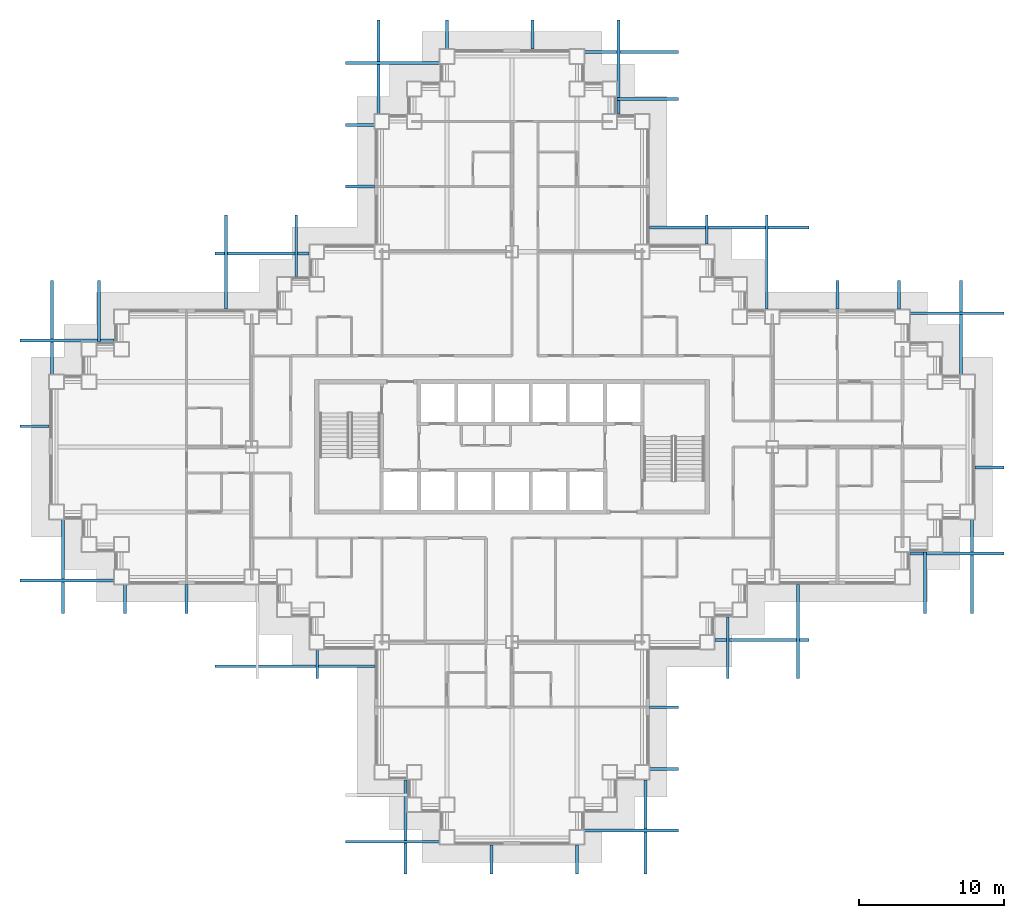
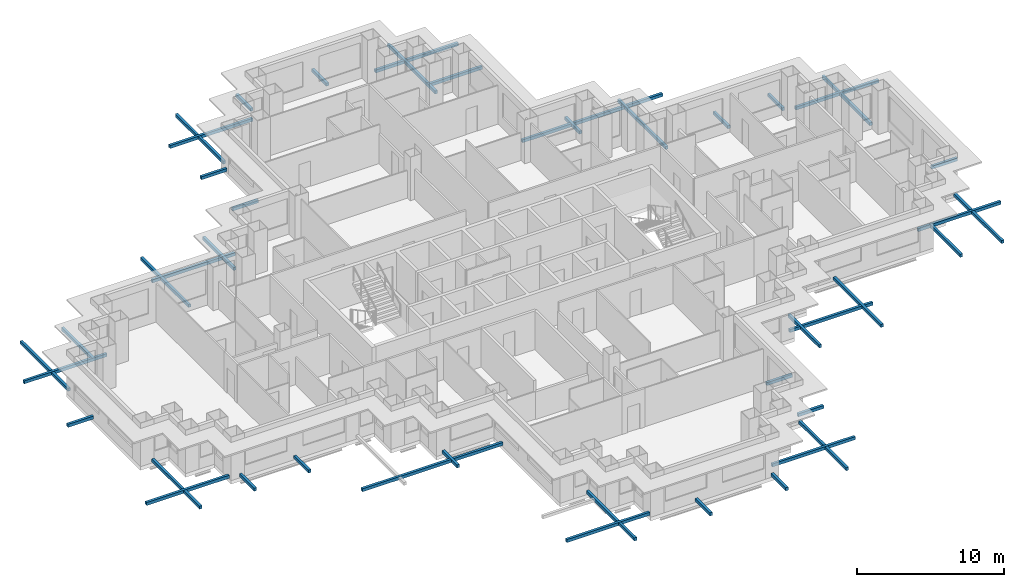
# One storey, part 10 of 15: 44 discrete accessories.
"""IFC4 building model written with IfcOpenShell, lengths in metres."""

import ifcopenshell
import ifcopenshell.guid

model = None  # the IFC model being written
_history = None  # IfcOwnerHistory: only IFC2X3 demands one
_inside = {}  # id of a spatial element -> (the spatial element, [elements in it])
_under = {}  # id of a project, library or spatial element -> (it, [spatial elements below it])
_declared = {}  # id of a project -> (the project, [libraries it declares])
_typed = {}  # id of a type object -> (the type object, [elements of that type])
_made_of = {}  # id of a material, layer set ... -> (it, [elements and type objects made of it])


def new_model(schema):
    """Start an empty IFC model of exactly this schema.

    Asked for "IFC4X3", IfcOpenShell would pick the latest addendum, in which some entities
    have other attributes; the version numbers below select the first issue.
    IFC2X3 requires an IfcOwnerHistory on every rooted entity: one is made here for all.
    """
    global model, _history
    if schema == "IFC4X3":
        model = ifcopenshell.file(schema_version=(4, 3, 0, 0))
    else:
        model = ifcopenshell.file(schema=schema)
    _inside.clear()
    _under.clear()
    _declared.clear()
    _typed.clear()
    _made_of.clear()
    _history = None
    if model.schema == "IFC2X3":
        org = make("IfcOrganization", Name="unknown")
        user = make(
            "IfcPersonAndOrganization",
            ThePerson=make("IfcPerson", FamilyName="unknown"),
            TheOrganization=org,
        )
        app = make(
            "IfcApplication",
            ApplicationDeveloper=org,
            Version="unknown",
            ApplicationFullName="unknown",
            ApplicationIdentifier="unknown",
        )
        _history = make(
            "IfcOwnerHistory",
            OwningUser=user,
            OwningApplication=app,
            ChangeAction="ADDED",
            CreationDate=0,
        )
    return model


def make(cls, **values):
    """One entity of the class cls with the attributes given. An attribute that is None is left unset."""
    return model.create_entity(
        cls, **{name: value for name, value in values.items() if value is not None}
    )


def rooted(cls, **values):
    """An entity with a GlobalId (a new one), such as an element, a storey or a relation."""
    return make(cls, GlobalId=ifcopenshell.guid.new(), OwnerHistory=_history, **values)


def si_unit(unit_type, name, prefix=None):
    """IfcSIUnit, for example si_unit("LENGTHUNIT", "METRE", prefix="MILLI")."""
    return make("IfcSIUnit", UnitType=unit_type, Prefix=prefix, Name=name)


def assignment(units):
    """IfcUnitAssignment: the units of a project."""
    return None if units is None else make("IfcUnitAssignment", Units=units)


def point(xyz):
    """IfcCartesianPoint."""
    return None if xyz is None else make("IfcCartesianPoint", Coordinates=xyz)


def direction(xyz):
    """IfcDirection."""
    return None if xyz is None else make("IfcDirection", DirectionRatios=xyz)


def frame(location, z_axis=None, x_axis=None):
    """IfcAxis2Placement3D, a coordinate frame: its origin and axes. An axis left out is left unset."""
    return make(
        "IfcAxis2Placement3D",
        Location=point(location),
        Axis=direction(z_axis),
        RefDirection=direction(x_axis),
    )


def frame_2d(location, x_axis=None):
    """IfcAxis2Placement2D, a coordinate frame in the plane: its origin and x axis."""
    return make(
        "IfcAxis2Placement2D", Location=point(location), RefDirection=direction(x_axis)
    )


def origin():
    """The frame at (0, 0, 0) with its axes left unset."""
    return frame((0.0, 0.0, 0.0))


def origin_2d():
    """The frame at (0, 0) in the plane with its x axis left unset."""
    return frame_2d((0.0, 0.0))


def place(relative_to, where):
    """IfcLocalPlacement: puts the frame where relative to a parent placement (None: the world)."""
    return make(
        "IfcLocalPlacement", PlacementRelTo=relative_to, RelativePlacement=where
    )


def context(
    kind, dimensions, precision=None, world=None, true_north=None, identifier=None
):
    """IfcGeometricRepresentationContext, for example the 3D "Model" context."""
    return make(
        "IfcGeometricRepresentationContext",
        ContextIdentifier=identifier,
        ContextType=kind,
        CoordinateSpaceDimension=dimensions,
        Precision=precision,
        WorldCoordinateSystem=world,
        TrueNorth=true_north,
    )


def subcontext(parent, identifier, kind, view, scale=None):
    """IfcGeometricRepresentationSubContext, for example "Body" below "Model"."""
    return make(
        "IfcGeometricRepresentationSubContext",
        ContextIdentifier=identifier,
        ContextType=kind,
        ParentContext=parent,
        TargetScale=scale,
        TargetView=view,
    )


def project(units=None, contexts=None):
    """IfcProject with its units and contexts."""
    return rooted(
        "IfcProject",
        Name="project",
        RepresentationContexts=contexts,
        UnitsInContext=assignment(units),
    )


def spatial(cls, under=None, at=None, **own):
    """A site, building, storey or space (cls), placed at a placement, below another one or the project."""
    s = rooted(cls, ObjectPlacement=at, **own)
    if under is not None:
        _under.setdefault(under.id(), (under, []))[1].append(s)
    return s


def profile(cls, at=None, kind="AREA", **sizes):
    """A parametric profile (cls). Its sizes go by their IFC names, for example OverallWidth=200.0."""
    return make(cls, ProfileType=kind, Position=at, **sizes)


def rectangle(**sizes):
    """IfcRectangleProfileDef."""
    return profile("IfcRectangleProfileDef", **sizes)


def extrude(swept, where, along, depth):
    """IfcExtrudedAreaSolid: the profile swept, set in the frame where, extruded along a direction by depth."""
    return make(
        "IfcExtrudedAreaSolid",
        SweptArea=swept,
        Position=where,
        ExtrudedDirection=direction(along),
        Depth=depth,
    )


def shape(context_of_items, identifier, shape_type, items):
    """IfcShapeRepresentation: the items that make up one representation, for example the "Body"."""
    return make(
        "IfcShapeRepresentation",
        ContextOfItems=context_of_items,
        RepresentationIdentifier=identifier,
        RepresentationType=shape_type,
        Items=items,
    )


def material(Name=None, Category=None):
    """IfcMaterial."""
    return make("IfcMaterial", Name=Name, Category=Category)


def made_of(thing, what):
    """Note that an element or type object is made of a material, layer set ...; save() writes the relation."""
    if what is not None:
        _made_of.setdefault(what.id(), (what, []))[1].append(thing)
    return thing


def type_object(cls, material=None, **own):
    """A type object (cls), such as IfcWallType, which elements share."""
    return made_of(rooted(cls, **own), material)


def element(
    cls,
    number,
    at=None,
    inside=None,
    cuts=None,
    type_object=None,
    material=None,
    context=None,
    identifier="Body",
    shape_type=None,
    held_by="IfcProductDefinitionShape",
    body=None,
    shapes=None,
    **own,
):
    """One element of the class cls, such as IfcWall. Its Tag is "e" and its number.

    at: its placement. inside: the storey or other place that contains it. cuts: it is an
    opening in that element (IfcRelVoidsElement). A single representation is given by context,
    identifier, shape_type and body (its items); several are given by shapes. held_by: the class
    of the entity that holds the representations. save() writes the other relations.
    """
    e = rooted(cls, Tag="e%d" % number, ObjectPlacement=at, **own)
    if body is not None:
        shapes = [shape(context, identifier, shape_type, body)]
    if shapes is not None:
        e.Representation = make(held_by, Representations=shapes)
    if inside is not None:
        _inside.setdefault(inside.id(), (inside, []))[1].append(e)
    if cuts is not None:
        rooted(
            "IfcRelVoidsElement", RelatingBuildingElement=cuts, RelatedOpeningElement=e
        )
    if type_object is not None:
        _typed.setdefault(type_object.id(), (type_object, []))[1].append(e)
    return made_of(e, material)


def aggregate(whole, parts):
    """IfcRelAggregates: a whole, such as a stair, and the parts it consists of."""
    return rooted("IfcRelAggregates", RelatingObject=whole, RelatedObjects=parts)


def save(model, path):
    """Write the relations noted so far, then the file.

    IfcRelAggregates (storeys below a building ...), IfcRelContainedInSpatialStructure (elements
    in a storey), IfcRelDefinesByType, IfcRelAssociatesMaterial and IfcRelDeclares: one each for
    every whole, place, type object, material and project.
    """
    for whole, parts in _under.values():
        aggregate(whole, parts)
    for where, things in _inside.values():
        rooted(
            "IfcRelContainedInSpatialStructure",
            RelatedElements=things,
            RelatingStructure=where,
        )
    for kind, things in _typed.values():
        rooted("IfcRelDefinesByType", RelatedObjects=things, RelatingType=kind)
    for what, things in _made_of.values():
        rooted("IfcRelAssociatesMaterial", RelatedObjects=things, RelatingMaterial=what)
    for by, libraries in _declared.values():
        rooted("IfcRelDeclares", RelatingContext=by, RelatedDefinitions=libraries)
    model.write(path)


model = new_model("IFC4")

# Units and contexts
model_context = context("Model", 3, precision=1e-05, world=origin(), true_north=direction((0.0, 1.0)))
body_context = subcontext(model_context, "Body", "Model", "MODEL_VIEW")
ifc_project = project(units=[si_unit("LENGTHUNIT", "METRE"), si_unit("AREAUNIT", "SQUARE_METRE"), si_unit("VOLUMEUNIT", "CUBIC_METRE"), si_unit("PLANEANGLEUNIT", "RADIAN"), si_unit("MASSUNIT", "GRAM", prefix="KILO")], contexts=[model_context])

# Site, building, storey
site_placement = place(None, origin())
site = spatial("IfcSite", under=ifc_project, at=site_placement, CompositionType="ELEMENT")
building_placement = place(site_placement, origin())
building = spatial("IfcBuilding", under=site, at=building_placement, Name="Caravel Reach Hotel and Residences", CompositionType="ELEMENT")
storey_placement = place(building_placement, frame((0.0, 0.0, 44.39990234375)))
storey = spatial("IfcBuildingStorey", under=building, at=storey_placement, Name="L09", CompositionType="ELEMENT", Elevation=44.39990234375)

# Discrete accessories
ifc_material = material(Name="Black powder-coated aluminium", Category="aluminium")
discrete_accessory_type = type_object("IfcDiscreteAccessoryType", Name="BR1 Screen bracket", PredefinedType="BRACKET", material=ifc_material)
for number, where, z_axis, x_axis, name in (
    (1, (23.22509765625, -0.304931640625, 0.10009765625), (0.0, 0.0, 1.0), (-1.0, 0.0, 0.0), "Screen bracket L09 1.3.2"),
    (2, (24.13134765625, 0.72509765625, 0.10009765625), (0.0, 0.0, 1.0), (0.0, -1.0, 0.0), "Screen bracket L09 2.1.2"),
):
    element("IfcDiscreteAccessory", number, at=place(storey_placement, frame(where, z_axis=z_axis, x_axis=x_axis)), inside=storey, type_object=discrete_accessory_type, Name=name, PredefinedType="BRACKET", context=body_context, shape_type="SweptSolid", body=[
        extrude(rectangle(XDim=6.5, YDim=0.199951171875, at=origin_2d()), origin(), (0.0, 0.0, 1.0), 0.25),
    ])
for number, where, z_axis, x_axis, name in (
    (3, (30.06884765625, -1.52490234375, 0.10009765625), (0.0, 0.0, 1.0), (0.0, -1.0, 0.0), "Screen bracket L09 2.2.2"),
    (4, (36.00634765625, -1.52490234375, 0.10009765625), (0.0, 0.0, 1.0), (0.0, -1.0, 0.0), "Screen bracket L09 2.3.2"),
):
    element("IfcDiscreteAccessory", number, at=place(storey_placement, frame(where, z_axis=z_axis, x_axis=x_axis)), inside=storey, type_object=discrete_accessory_type, Name=name, PredefinedType="BRACKET", context=body_context, shape_type="SweptSolid", body=[
        extrude(rectangle(XDim=2.0, YDim=0.199951171875, at=origin_2d()), origin(), (0.0, 0.0, 1.0), 0.25),
    ])
for number, where, z_axis, x_axis, name in (
    (5, (40.74365234375, 0.72509765625, 0.10009765625), (0.0, 0.0, 1.0), (0.0, -1.0, 0.0), "Screen bracket L09 2.4.2"),
    (6, (39.77490234375, 0.461669921875, 0.10009765625), (0.0, 0.0, 1.0), (1.0, 0.0, 0.0), "Screen bracket L09 3.1.2"),
):
    element("IfcDiscreteAccessory", number, at=place(storey_placement, frame(where, z_axis=z_axis, x_axis=x_axis)), inside=storey, type_object=discrete_accessory_type, Name=name, PredefinedType="BRACKET", context=body_context, shape_type="SweptSolid", body=[
        extrude(rectangle(XDim=6.5, YDim=0.199951171875, at=origin_2d()), origin(), (0.0, 0.0, 1.0), 0.25),
    ])
for number, where, z_axis, x_axis, name in (
    (7, (42.02490234375, 4.728271484375, 0.10009765625), (0.0, 0.0, 1.0), (1.0, 0.0, 0.0), "Screen bracket L09 3.2.2"),
    (8, (42.02490234375, 8.9951171875, 0.10009765625), (0.0, 0.0, 1.0), (1.0, 0.0, 0.0), "Screen bracket L09 3.3.2"),
):
    element("IfcDiscreteAccessory", number, at=place(storey_placement, frame(where, z_axis=z_axis, x_axis=x_axis)), inside=storey, type_object=discrete_accessory_type, Name=name, PredefinedType="BRACKET", context=body_context, shape_type="SweptSolid", body=[
        extrude(rectangle(XDim=2.0, YDim=0.199951171875, at=origin_2d()), origin(), (0.0, 0.0, 1.0), 0.25),
    ])
discrete_accessory_1_placement = place(storey_placement, frame((46.419921875, 13.10009765625, 0.10009765625), z_axis=(0.0, 0.0, 1.0), x_axis=(0.0, -1.0, 0.0)))
element("IfcDiscreteAccessory", 9, at=discrete_accessory_1_placement, inside=storey, type_object=discrete_accessory_type, Name="Screen bracket L09 4.1.2", PredefinedType="BRACKET", context=body_context, shape_type="SweptSolid", body=[
    extrude(rectangle(XDim=4.25, YDim=0.199951171875, at=origin_2d()), origin(), (0.0, 0.0, 1.0), 0.25),
])
for number, where, z_axis, x_axis, name in (
    (10, (51.27001953125, 14.22509765625, 0.10009765625), (0.0, 0.0, 1.0), (0.0, -1.0, 0.0), "Screen bracket L09 4.2.2"),
    (11, (48.77490234375, 13.635009765625, 0.10009765625), (0.0, 0.0, 1.0), (1.0, 0.0, 0.0), "Screen bracket L09 5.1.2"),
):
    element("IfcDiscreteAccessory", number, at=place(storey_placement, frame(where, z_axis=z_axis, x_axis=x_axis)), inside=storey, type_object=discrete_accessory_type, Name=name, PredefinedType="BRACKET", context=body_context, shape_type="SweptSolid", body=[
        extrude(rectangle(XDim=6.5, YDim=0.199951171875, at=origin_2d()), origin(), (0.0, 0.0, 1.0), 0.25),
    ])
discrete_accessory_2_placement = place(storey_placement, frame((60.07177734375, 17.60009765625, 0.10009765625), z_axis=(0.0, 0.0, 1.0), x_axis=(0.0, -1.0, 0.0)))
element("IfcDiscreteAccessory", 12, at=discrete_accessory_2_placement, inside=storey, type_object=discrete_accessory_type, Name="Screen bracket L09 6.2.2", PredefinedType="BRACKET", context=body_context, shape_type="SweptSolid", body=[
    extrude(rectangle(XDim=4.25, YDim=0.199951171875, at=origin_2d()), origin(), (0.0, 0.0, 1.0), 0.25),
])
for number, where, z_axis, x_axis, name in (
    (13, (63.304931640625, 18.72509765625, 0.10009765625), (0.0, 0.0, 1.0), (0.0, -1.0, 0.0), "Screen bracket L09 6.3.2"),
    (14, (62.27490234375, 19.63134765625, 0.10009765625), (0.0, 0.0, 1.0), (1.0, 0.0, 0.0), "Screen bracket L09 7.1.2"),
):
    element("IfcDiscreteAccessory", number, at=place(storey_placement, frame(where, z_axis=z_axis, x_axis=x_axis)), inside=storey, type_object=discrete_accessory_type, Name=name, PredefinedType="BRACKET", context=body_context, shape_type="SweptSolid", body=[
        extrude(rectangle(XDim=6.5, YDim=0.199951171875, at=origin_2d()), origin(), (0.0, 0.0, 1.0), 0.25),
    ])
discrete_accessory_3_placement = place(storey_placement, frame((64.52490234375, 25.56884765625, 0.10009765625), z_axis=(0.0, 0.0, 1.0), x_axis=(1.0, 0.0, 0.0)))
element("IfcDiscreteAccessory", 15, at=discrete_accessory_3_placement, inside=storey, type_object=discrete_accessory_type, Name="Screen bracket L09 7.2.2", PredefinedType="BRACKET", context=body_context, shape_type="SweptSolid", body=[
    extrude(rectangle(XDim=2.0, YDim=0.199951171875, at=origin_2d()), origin(), (0.0, 0.0, 1.0), 0.25),
])
for number, where, z_axis, x_axis, name in (
    (16, (62.27490234375, 36.24365234375, 0.10009765625), (0.0, 0.0, 1.0), (1.0, 0.0, 0.0), "Screen bracket L09 7.4.2"),
    (17, (62.538330078125, 35.27490234375, 0.10009765625), (0.0, 0.0, 1.0), (0.0, 1.0, 0.0), "Screen bracket L09 8.1.2"),
):
    element("IfcDiscreteAccessory", number, at=place(storey_placement, frame(where, z_axis=z_axis, x_axis=x_axis)), inside=storey, type_object=discrete_accessory_type, Name=name, PredefinedType="BRACKET", context=body_context, shape_type="SweptSolid", body=[
        extrude(rectangle(XDim=6.5, YDim=0.199951171875, at=origin_2d()), origin(), (0.0, 0.0, 1.0), 0.25),
    ])
for number, where, z_axis, x_axis, name in (
    (18, (58.271728515625, 37.52490234375, 0.10009765625), (0.0, 0.0, 1.0), (0.0, 1.0, 0.0), "Screen bracket L09 8.2.2"),
    (19, (54.0048828125, 37.52490234375, 0.10009765625), (0.0, 0.0, 1.0), (0.0, 1.0, 0.0), "Screen bracket L09 8.3.2"),
):
    element("IfcDiscreteAccessory", number, at=place(storey_placement, frame(where, z_axis=z_axis, x_axis=x_axis)), inside=storey, type_object=discrete_accessory_type, Name=name, PredefinedType="BRACKET", context=body_context, shape_type="SweptSolid", body=[
        extrude(rectangle(XDim=2.0, YDim=0.199951171875, at=origin_2d()), origin(), (0.0, 0.0, 1.0), 0.25),
    ])
discrete_accessory_4_placement = place(storey_placement, frame((46.52490234375, 42.1650390625, 0.10009765625), z_axis=(0.0, 0.0, 1.0), x_axis=(1.0, 0.0, 0.0)))
element("IfcDiscreteAccessory", 20, at=discrete_accessory_4_placement, inside=storey, type_object=discrete_accessory_type, Name="Screen bracket L09 9.1.2", PredefinedType="BRACKET", context=body_context, shape_type="SweptSolid", body=[
    extrude(rectangle(XDim=11.0, YDim=0.199951171875, at=origin_2d()), origin(), (0.0, 0.0, 1.0), 0.25),
])
discrete_accessory_5_placement = place(storey_placement, frame((49.1201171875, 39.77490234375, 0.10009765625), z_axis=(0.0, 0.0, 1.0), x_axis=(0.0, 1.0, 0.0)))
element("IfcDiscreteAccessory", 21, at=discrete_accessory_5_placement, inside=storey, type_object=discrete_accessory_type, Name="Screen bracket L09 10.1.2", PredefinedType="BRACKET", context=body_context, shape_type="SweptSolid", body=[
    extrude(rectangle(XDim=6.5, YDim=0.199951171875, at=origin_2d()), origin(), (0.0, 0.0, 1.0), 0.25),
])
discrete_accessory_6_placement = place(storey_placement, frame((44.969970703125, 42.02490234375, 0.10009765625), z_axis=(0.0, 0.0, 1.0), x_axis=(0.0, 1.0, 0.0)))
element("IfcDiscreteAccessory", 22, at=discrete_accessory_6_placement, inside=storey, type_object=discrete_accessory_type, Name="Screen bracket L09 10.2.2", PredefinedType="BRACKET", context=body_context, shape_type="SweptSolid", body=[
    extrude(rectangle(XDim=2.0, YDim=0.199951171875, at=origin_2d()), origin(), (0.0, 0.0, 1.0), 0.25),
])
discrete_accessory_7_placement = place(storey_placement, frame((40.89990234375, 51.07177734375, 0.10009765625), z_axis=(0.0, 0.0, 1.0), x_axis=(1.0, 0.0, 0.0)))
element("IfcDiscreteAccessory", 23, at=discrete_accessory_7_placement, inside=storey, type_object=discrete_accessory_type, Name="Screen bracket L09 11.2.2", PredefinedType="BRACKET", context=body_context, shape_type="SweptSolid", body=[
    extrude(rectangle(XDim=4.25, YDim=0.199951171875, at=origin_2d()), origin(), (0.0, 0.0, 1.0), 0.25),
])
for number, where, z_axis, x_axis, name in (
    (24, (39.77490234375, 54.304931640625, 0.10009765625), (0.0, 0.0, 1.0), (1.0, 0.0, 0.0), "Screen bracket L09 11.3.2"),
    (25, (38.86865234375, 53.27490234375, 0.10009765625), (0.0, 0.0, 1.0), (0.0, 1.0, 0.0), "Screen bracket L09 12.1.2"),
):
    element("IfcDiscreteAccessory", number, at=place(storey_placement, frame(where, z_axis=z_axis, x_axis=x_axis)), inside=storey, type_object=discrete_accessory_type, Name=name, PredefinedType="BRACKET", context=body_context, shape_type="SweptSolid", body=[
        extrude(rectangle(XDim=6.5, YDim=0.199951171875, at=origin_2d()), origin(), (0.0, 0.0, 1.0), 0.25),
    ])
for number, where, z_axis, x_axis, name in (
    (26, (32.93115234375, 55.52490234375, 0.10009765625), (0.0, 0.0, 1.0), (0.0, 1.0, 0.0), "Screen bracket L09 12.2.2"),
    (27, (26.99365234375, 55.52490234375, 0.10009765625), (0.0, 0.0, 1.0), (0.0, 1.0, 0.0), "Screen bracket L09 12.3.2"),
):
    element("IfcDiscreteAccessory", number, at=place(storey_placement, frame(where, z_axis=z_axis, x_axis=x_axis)), inside=storey, type_object=discrete_accessory_type, Name=name, PredefinedType="BRACKET", context=body_context, shape_type="SweptSolid", body=[
        extrude(rectangle(XDim=2.0, YDim=0.199951171875, at=origin_2d()), origin(), (0.0, 0.0, 1.0), 0.25),
    ])
for number, where, z_axis, x_axis, name in (
    (28, (22.25634765625, 53.27490234375, 0.10009765625), (0.0, 0.0, 1.0), (0.0, 1.0, 0.0), "Screen bracket L09 12.4.2"),
    (29, (23.22509765625, 53.538330078125, 0.10009765625), (0.0, 0.0, 1.0), (-1.0, 0.0, 0.0), "Screen bracket L09 13.1.2"),
):
    element("IfcDiscreteAccessory", number, at=place(storey_placement, frame(where, z_axis=z_axis, x_axis=x_axis)), inside=storey, type_object=discrete_accessory_type, Name=name, PredefinedType="BRACKET", context=body_context, shape_type="SweptSolid", body=[
        extrude(rectangle(XDim=6.5, YDim=0.199951171875, at=origin_2d()), origin(), (0.0, 0.0, 1.0), 0.25),
    ])
for number, where, z_axis, x_axis, name in (
    (30, (20.97509765625, 49.271728515625, 0.10009765625), (0.0, 0.0, 1.0), (-1.0, 0.0, 0.0), "Screen bracket L09 13.2.2"),
    (31, (20.97509765625, 45.0048828125, 0.10009765625), (0.0, 0.0, 1.0), (-1.0, 0.0, 0.0), "Screen bracket L09 13.3.2"),
):
    element("IfcDiscreteAccessory", number, at=place(storey_placement, frame(where, z_axis=z_axis, x_axis=x_axis)), inside=storey, type_object=discrete_accessory_type, Name=name, PredefinedType="BRACKET", context=body_context, shape_type="SweptSolid", body=[
        extrude(rectangle(XDim=2.0, YDim=0.199951171875, at=origin_2d()), origin(), (0.0, 0.0, 1.0), 0.25),
    ])
discrete_accessory_8_placement = place(storey_placement, frame((16.580078125, 40.89990234375, 0.10009765625), z_axis=(0.0, 0.0, 1.0), x_axis=(0.0, 1.0, 0.0)))
element("IfcDiscreteAccessory", 32, at=discrete_accessory_8_placement, inside=storey, type_object=discrete_accessory_type, Name="Screen bracket L09 14.1.2", PredefinedType="BRACKET", context=body_context, shape_type="SweptSolid", body=[
    extrude(rectangle(XDim=4.25, YDim=0.199951171875, at=origin_2d()), origin(), (0.0, 0.0, 1.0), 0.25),
])
for number, where, z_axis, x_axis, name in (
    (33, (11.72998046875, 39.77490234375, 0.10009765625), (0.0, 0.0, 1.0), (0.0, 1.0, 0.0), "Screen bracket L09 14.2.2"),
    (34, (14.22509765625, 40.364990234375, 0.10009765625), (0.0, 0.0, 1.0), (-1.0, 0.0, 0.0), "Screen bracket L09 15.1.2"),
):
    element("IfcDiscreteAccessory", number, at=place(storey_placement, frame(where, z_axis=z_axis, x_axis=x_axis)), inside=storey, type_object=discrete_accessory_type, Name=name, PredefinedType="BRACKET", context=body_context, shape_type="SweptSolid", body=[
        extrude(rectangle(XDim=6.5, YDim=0.199951171875, at=origin_2d()), origin(), (0.0, 0.0, 1.0), 0.25),
    ])
discrete_accessory_9_placement = place(storey_placement, frame((2.92822265625, 36.39990234375, 0.10009765625), z_axis=(0.0, 0.0, 1.0), x_axis=(0.0, 1.0, 0.0)))
element("IfcDiscreteAccessory", 35, at=discrete_accessory_9_placement, inside=storey, type_object=discrete_accessory_type, Name="Screen bracket L09 16.2.2", PredefinedType="BRACKET", context=body_context, shape_type="SweptSolid", body=[
    extrude(rectangle(XDim=4.25, YDim=0.199951171875, at=origin_2d()), origin(), (0.0, 0.0, 1.0), 0.25),
])
for number, where, z_axis, x_axis, name in (
    (36, (-0.304931640625, 35.27490234375, 0.10009765625), (0.0, 0.0, 1.0), (0.0, 1.0, 0.0), "Screen bracket L09 16.3.2"),
    (37, (0.72509765625, 34.36865234375, 0.10009765625), (0.0, 0.0, 1.0), (-1.0, 0.0, 0.0), "Screen bracket L09 17.1.2"),
):
    element("IfcDiscreteAccessory", number, at=place(storey_placement, frame(where, z_axis=z_axis, x_axis=x_axis)), inside=storey, type_object=discrete_accessory_type, Name=name, PredefinedType="BRACKET", context=body_context, shape_type="SweptSolid", body=[
        extrude(rectangle(XDim=6.5, YDim=0.199951171875, at=origin_2d()), origin(), (0.0, 0.0, 1.0), 0.25),
    ])
discrete_accessory_10_placement = place(storey_placement, frame((-1.52490234375, 28.43115234375, 0.10009765625), z_axis=(0.0, 0.0, 1.0), x_axis=(-1.0, 0.0, 0.0)))
element("IfcDiscreteAccessory", 38, at=discrete_accessory_10_placement, inside=storey, type_object=discrete_accessory_type, Name="Screen bracket L09 17.2.2", PredefinedType="BRACKET", context=body_context, shape_type="SweptSolid", body=[
    extrude(rectangle(XDim=2.0, YDim=0.199951171875, at=origin_2d()), origin(), (0.0, 0.0, 1.0), 0.25),
])
for number, where, z_axis, x_axis, name in (
    (39, (0.72509765625, 17.75634765625, 0.10009765625), (0.0, 0.0, 1.0), (-1.0, 0.0, 0.0), "Screen bracket L09 17.4.2"),
    (40, (0.461669921875, 18.72509765625, 0.10009765625), (0.0, 0.0, 1.0), (0.0, -1.0, 0.0), "Screen bracket L09 18.1.2"),
):
    element("IfcDiscreteAccessory", number, at=place(storey_placement, frame(where, z_axis=z_axis, x_axis=x_axis)), inside=storey, type_object=discrete_accessory_type, Name=name, PredefinedType="BRACKET", context=body_context, shape_type="SweptSolid", body=[
        extrude(rectangle(XDim=6.5, YDim=0.199951171875, at=origin_2d()), origin(), (0.0, 0.0, 1.0), 0.25),
    ])
for number, where, z_axis, x_axis, name in (
    (41, (4.728271484375, 16.47509765625, 0.10009765625), (0.0, 0.0, 1.0), (0.0, -1.0, 0.0), "Screen bracket L09 18.2.2"),
    (42, (8.9951171875, 16.47509765625, 0.10009765625), (0.0, 0.0, 1.0), (0.0, -1.0, 0.0), "Screen bracket L09 18.3.2"),
):
    element("IfcDiscreteAccessory", number, at=place(storey_placement, frame(where, z_axis=z_axis, x_axis=x_axis)), inside=storey, type_object=discrete_accessory_type, Name=name, PredefinedType="BRACKET", context=body_context, shape_type="SweptSolid", body=[
        extrude(rectangle(XDim=2.0, YDim=0.199951171875, at=origin_2d()), origin(), (0.0, 0.0, 1.0), 0.25),
    ])
discrete_accessory_11_placement = place(storey_placement, frame((16.47509765625, 11.8349609375, 0.10009765625), z_axis=(0.0, 0.0, 1.0), x_axis=(-1.0, 0.0, 0.0)))
element("IfcDiscreteAccessory", 43, at=discrete_accessory_11_placement, inside=storey, type_object=discrete_accessory_type, Name="Screen bracket L09 19.1.2", PredefinedType="BRACKET", context=body_context, shape_type="SweptSolid", body=[
    extrude(rectangle(XDim=11.0, YDim=0.199951171875, at=origin_2d()), origin(), (0.0, 0.0, 1.0), 0.25),
])
discrete_accessory_12_placement = place(storey_placement, frame((18.030029296875, 11.97509765625, 0.10009765625), z_axis=(0.0, 0.0, 1.0), x_axis=(0.0, -1.0, 0.0)))
element("IfcDiscreteAccessory", 44, at=discrete_accessory_12_placement, inside=storey, type_object=discrete_accessory_type, Name="Screen bracket L09 20.2.2", PredefinedType="BRACKET", context=body_context, shape_type="SweptSolid", body=[
    extrude(rectangle(XDim=2.0, YDim=0.199951171875, at=origin_2d()), origin(), (0.0, 0.0, 1.0), 0.25),
])

save(model, "model.ifc")
